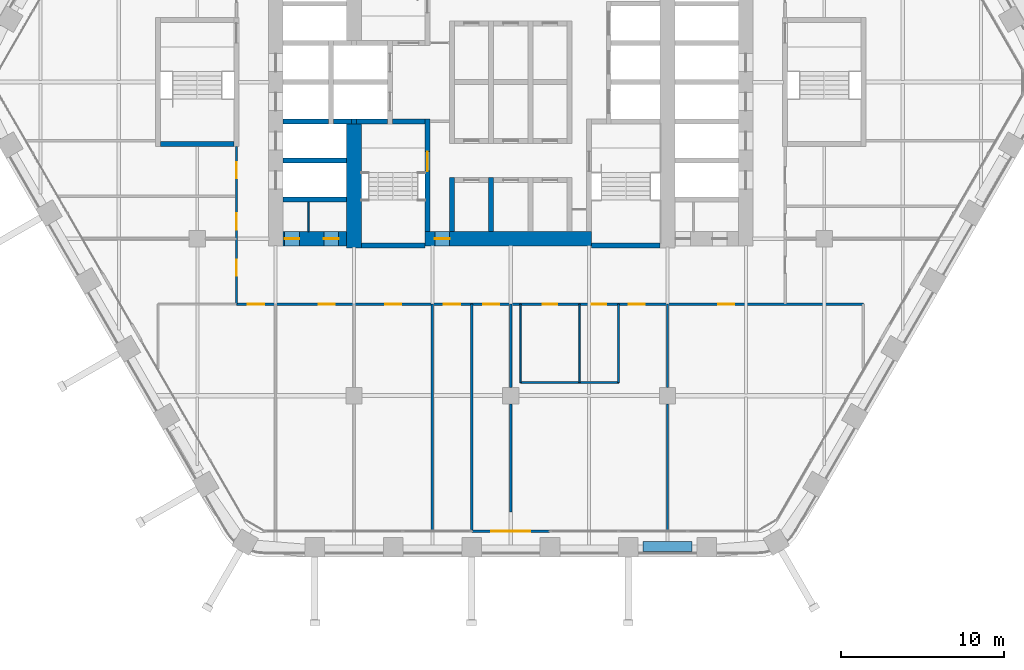
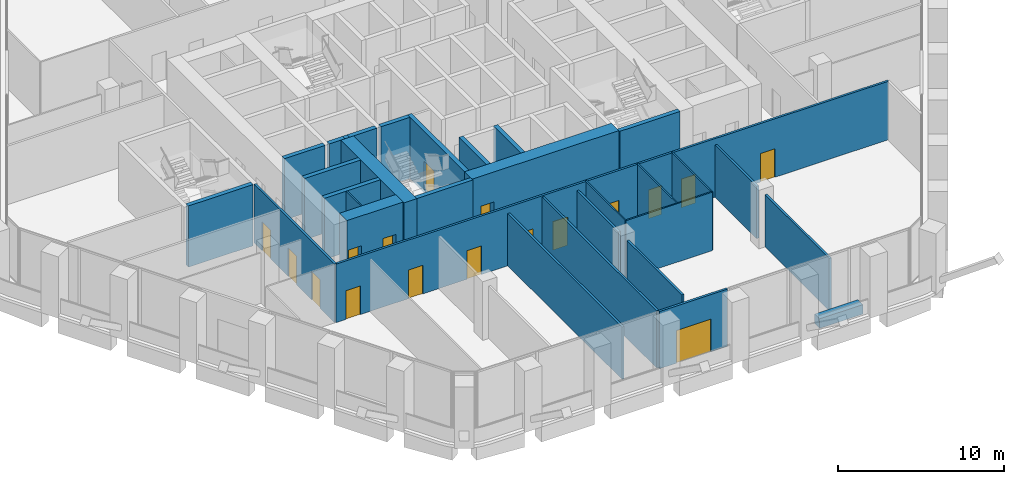
# One storey, part 15 of 26: 31 walls, 17 doors, 17 openings.
"""IFC4 building model written with IfcOpenShell, lengths in metres."""

from ifc_helpers import new_model, si_unit, direction, frame, frame_2d, origin, place, context, subcontext, project, spatial, rectangle, extrude, material, layer, layer_set, type_object, element, fill, save


model = new_model("IFC4")

# Units and contexts
model_context = context("Model", 3, precision=1e-05, world=origin(), true_north=direction((0.0, 1.0)))
body_context = subcontext(model_context, "Body", "Model", "MODEL_VIEW")
ifc_project = project(units=[si_unit("LENGTHUNIT", "METRE"), si_unit("AREAUNIT", "SQUARE_METRE"), si_unit("VOLUMEUNIT", "CUBIC_METRE"), si_unit("PLANEANGLEUNIT", "RADIAN"), si_unit("MASSUNIT", "GRAM", prefix="KILO")], contexts=[model_context])

# Site, building, storey
site_placement = place(None, origin())
site = spatial("IfcSite", under=ifc_project, at=site_placement, CompositionType="ELEMENT")
building_placement = place(site_placement, origin())
building = spatial("IfcBuilding", under=site, at=building_placement, Name="Kolab Exchange Tower", CompositionType="ELEMENT")
storey_placement = place(building_placement, frame((0.0, 0.0, 104.89990234375)))
storey = spatial("IfcBuildingStorey", under=building, at=storey_placement, Name="L20", CompositionType="ELEMENT", Elevation=104.89990234375)

# Wall, openings, doors
ifc_material_1 = material(Name="Concrete C70/85", Category="concrete")
ifc_layer_1 = layer(ifc_material_1, 0.89990234375)
ifc_layer_set_1 = layer_set([ifc_layer_1], Name="Concrete C70/85")
wall_type_1 = type_object("IfcWallType", Name="CORE WALL 900 C70/85", PredefinedType="SHEAR", material=ifc_layer_set_1)
wall_1_placement = place(storey_placement, frame((-13.949951171875, -9.60009765625, -0.199951171875), z_axis=(0.0, 0.0, 1.0), x_axis=(1.0, 0.0, 0.0)))
wall_1 = element("IfcWall", 1, at=wall_1_placement, inside=storey, type_object=wall_type_1, Name="wall/L20/core/002", PredefinedType="SHEAR", context=body_context, shape_type="SweptSolid", body=[
    extrude(rectangle(XDim=3.89990234375, YDim=0.89990234375, at=frame_2d((1.949951171875, 0.0))), origin(), (0.0, 0.0, 1.0), 4.5),
])
opening_1_placement = place(wall_1_placement, frame((0.10009765625, 0.0, 0.199951171875)))
opening_1 = element("IfcOpeningElement", 2, at=opening_1_placement, cuts=wall_1, Name="Opening D6-228", PredefinedType="OPENING", context=body_context, shape_type="SweptSolid", body=[
    extrude(rectangle(XDim=0.89990234375, YDim=2.10009765625, at=frame_2d((0.449951171875, 1.050048828125))), frame((0.0, 0.4599609375, 0.0), z_axis=(0.0, -1.0, 0.0), x_axis=(1.0, 0.0, 0.0)), (0.0, 0.0, 1.0), 0.919921875),
])
opening_2_placement = place(wall_1_placement, frame((2.5, 0.0, 0.199951171875)))
opening_2 = element("IfcOpeningElement", 3, at=opening_2_placement, cuts=wall_1, Name="Opening D6-229", PredefinedType="OPENING", context=body_context, shape_type="SweptSolid", body=[
    extrude(rectangle(XDim=0.89990234375, YDim=2.10009765625, at=frame_2d((0.449951171875, 1.050048828125))), frame((0.0, 0.4599609375, 0.0), z_axis=(0.0, -1.0, 0.0), x_axis=(1.0, 0.0, 0.0)), (0.0, 0.0, 1.0), 0.919921875),
])
ifc_material_2 = material(Name="Steel S235", Category="steel")
door_type_1 = type_object("IfcDoorType", Name="CORE DOOR 900 EI 120", OperationType="SINGLE_SWING_LEFT", PredefinedType="DOOR", material=ifc_material_2)
door_1_placement = place(opening_1_placement, origin())
door_1 = element("IfcDoor", 4, at=door_1_placement, inside=storey, type_object=door_type_1, Name="Service room door", OperationType="SINGLE_SWING_RIGHT", OverallHeight=2.10009765625, OverallWidth=0.89990234375, PredefinedType="DOOR", context=body_context, shape_type="SweptSolid", body=[
    extrude(rectangle(XDim=0.89990234375, YDim=2.10009765625, at=frame_2d((0.449951171875, 1.050048828125))), frame((0.0, 0.02490234375, 0.0), z_axis=(0.0, -1.0, 0.0), x_axis=(1.0, 0.0, 0.0)), (0.0, 0.0, 1.0), 0.050048828125),
])
fill(opening_1, door_1)
door_2_placement = place(opening_2_placement, origin())
door_2 = element("IfcDoor", 5, at=door_2_placement, inside=storey, type_object=door_type_1, Name="Service room door", OperationType="SINGLE_SWING_LEFT", OverallHeight=2.10009765625, OverallWidth=0.89990234375, PredefinedType="DOOR", context=body_context, shape_type="SweptSolid", body=[
    extrude(rectangle(XDim=0.89990234375, YDim=2.10009765625, at=frame_2d((0.449951171875, 1.050048828125))), frame((0.0, 0.02490234375, 0.0), z_axis=(0.0, -1.0, 0.0), x_axis=(1.0, 0.0, 0.0)), (0.0, 0.0, 1.0), 0.050048828125),
])
fill(opening_2, door_2)

# Wall, opening, door
wall_2_placement = place(storey_placement, frame((-5.25, -9.60009765625, -0.199951171875), z_axis=(0.0, 0.0, 1.0), x_axis=(1.0, 0.0, 0.0)))
wall_2 = element("IfcWall", 6, at=wall_2_placement, inside=storey, type_object=wall_type_1, Name="wall/L20/core/003", PredefinedType="SHEAR", context=body_context, shape_type="SweptSolid", body=[
    extrude(rectangle(XDim=10.199951171875, YDim=0.89990234375, at=frame_2d((5.10009765625, 0.0))), origin(), (0.0, 0.0, 1.0), 4.5),
])
opening_3_placement = place(wall_2_placement, frame((0.60009765625, 0.0, 0.199951171875)))
opening_3 = element("IfcOpeningElement", 7, at=opening_3_placement, cuts=wall_2, Name="Opening D6-203", PredefinedType="OPENING", context=body_context, shape_type="SweptSolid", body=[
    extrude(rectangle(XDim=0.89990234375, YDim=2.10009765625, at=frame_2d((0.449951171875, 1.050048828125))), frame((0.0, 0.4599609375, 0.0), z_axis=(0.0, -1.0, 0.0), x_axis=(1.0, 0.0, 0.0)), (0.0, 0.0, 1.0), 0.919921875),
])
door_3_placement = place(opening_3_placement, origin())
door_3 = element("IfcDoor", 8, at=door_3_placement, inside=storey, type_object=door_type_1, Name="Core lobby door", OperationType="SINGLE_SWING_RIGHT", OverallHeight=2.10009765625, OverallWidth=0.89990234375, PredefinedType="DOOR", context=body_context, shape_type="SweptSolid", body=[
    extrude(rectangle(XDim=0.89990234375, YDim=2.10009765625, at=frame_2d((0.449951171875, 1.050048828125))), frame((0.0, 0.02490234375, 0.0), z_axis=(0.0, -1.0, 0.0), x_axis=(1.0, 0.0, 0.0)), (0.0, 0.0, 1.0), 0.050048828125),
])
fill(opening_3, door_3)

# Wall
wall_3_placement = place(storey_placement, frame((-9.60009765625, -10.14990234375, -0.199951171875), z_axis=(0.0, 0.0, 1.0), x_axis=(0.0, 1.0, 0.0)))
element("IfcWall", 9, at=wall_3_placement, inside=storey, type_object=wall_type_1, Name="wall/L20/core/059", PredefinedType="SHEAR", context=body_context, shape_type="SweptSolid", body=[
    extrude(rectangle(XDim=7.599853515625, YDim=0.89990234375, at=frame_2d((3.7998046875, 0.0))), origin(), (0.0, 0.0, 1.0), 4.5),
])

# Wall, opening, door
ifc_material_3 = material(Name="Aluminium EN AW-6063 T6", Category="aluminium")
ifc_layer_2 = layer(ifc_material_3, 0.159912109375)
ifc_layer_set_2 = layer_set([ifc_layer_2], Name="Aluminium EN AW-6063 T6")
wall_type_2 = type_object("IfcWallType", Name="DOOR SURROUND WALL 160 ALUMINIUM FRAMED", PredefinedType="PARTITIONING", material=ifc_layer_set_2)
wall_4_placement = place(storey_placement, frame((2.3701171875, -27.5185546875, 0.0), z_axis=(0.0, 0.0, 1.0), x_axis=(-1.0, 0.0, 0.0)))
wall_4 = element("IfcWall", 10, at=wall_4_placement, inside=storey, type_object=wall_type_2, Name="Door surround wall", PredefinedType="PARTITIONING", context=body_context, shape_type="SweptSolid", body=[
    extrude(rectangle(XDim=4.740234375, YDim=0.159912109375, at=frame_2d((2.3701171875, 0.0))), origin(), (0.0, 0.0, 1.0), 4.2001953125),
])
opening_4_placement = place(wall_4_placement, frame((1.169921875, 0.0, 0.0)))
opening_4 = element("IfcOpeningElement", 11, at=opening_4_placement, cuts=wall_4, Name="Opening GD1-046", PredefinedType="OPENING", context=body_context, shape_type="SweptSolid", body=[
    extrude(rectangle(XDim=2.39990234375, YDim=2.39990234375, at=frame_2d((1.199951171875, 1.199951171875))), frame((0.0, 0.08984375, 0.0), z_axis=(0.0, -1.0, 0.0), x_axis=(1.0, 0.0, 0.0)), (0.0, 0.0, 1.0), 0.179931640625),
])
door_type_2 = type_object("IfcDoorType", Name="LOGGIA SLIDING GLASS DOOR 2400 X 2400", OperationType="DOUBLE_DOOR_SINGLE_SWING", PredefinedType="DOOR", material=ifc_material_3)
door_4_placement = place(opening_4_placement, origin())
door_4 = element("IfcDoor", 12, at=door_4_placement, inside=storey, type_object=door_type_2, Name="Loggia door", OperationType="DOUBLE_DOOR_SLIDING", OverallHeight=2.39990234375, OverallWidth=2.39990234375, PredefinedType="DOOR", context=body_context, shape_type="SweptSolid", body=[
    extrude(rectangle(XDim=2.39990234375, YDim=2.39990234375, at=frame_2d((1.199951171875, 1.199951171875))), frame((0.0, 0.02490234375, 0.0), z_axis=(0.0, -1.0, 0.0), x_axis=(1.0, 0.0, 0.0)), (0.0, 0.0, 1.0), 0.050048828125),
])
fill(opening_4, door_4)

# Walls
ifc_material_4 = material(Name="Concrete C50/60", Category="concrete")
ifc_layer_3 = layer(ifc_material_4, 0.300048828125)
ifc_layer_set_3 = layer_set([ifc_layer_3], Name="Concrete C50/60")
wall_type_3 = type_object("IfcWallType", Name="LIFT SHAFT WALL 300 C50/60", PredefinedType="STANDARD", material=ifc_layer_set_3)
for number, where, z_axis, x_axis, name in (
    (13, (-13.949951171875, -7.199951171875, -0.199951171875), (0.0, 0.0, 1.0), (1.0, 0.0, 0.0), "wall/L20/core/005"),
    (14, (-13.949951171875, -4.800048828125, -0.199951171875), (0.0, 0.0, 1.0), (1.0, 0.0, 0.0), "wall/L20/core/010"),
):
    element("IfcWall", number, at=place(storey_placement, frame(where, z_axis=z_axis, x_axis=x_axis)), inside=storey, type_object=wall_type_3, Name=name, PredefinedType="STANDARD", context=body_context, shape_type="SweptSolid", body=[
        extrude(rectangle(XDim=3.89990234375, YDim=0.300048828125, at=frame_2d((1.949951171875, 0.0))), origin(), (0.0, 0.0, 1.0), 4.5),
    ])
wall_5_placement = place(storey_placement, frame((-13.949951171875, -2.39990234375, -0.199951171875), z_axis=(0.0, 0.0, 1.0), x_axis=(1.0, 0.0, 0.0)))
element("IfcWall", 15, at=wall_5_placement, inside=storey, type_object=wall_type_3, Name="wall/L20/core/017", PredefinedType="STANDARD", context=body_context, shape_type="SweptSolid", body=[
    extrude(rectangle(XDim=2.800048828125, YDim=0.300048828125, at=frame_2d((1.39990234375, 0.0))), origin(), (0.0, 0.0, 1.0), 4.5),
])
wall_6_placement = place(storey_placement, frame((-10.85009765625, -2.39990234375, -0.199951171875), z_axis=(0.0, 0.0, 1.0), x_axis=(1.0, 0.0, 0.0)))
element("IfcWall", 16, at=wall_6_placement, inside=storey, type_object=wall_type_3, Name="wall/L20/core/018", PredefinedType="STANDARD", context=body_context, shape_type="SweptSolid", body=[
    extrude(rectangle(XDim=1.10009765625, YDim=0.300048828125, at=frame_2d((0.550048828125, 0.0))), origin(), (0.0, 0.0, 1.0), 4.5),
])
for number, where, z_axis, x_axis, name in (
    (17, (-3.60009765625, -9.14990234375, -0.199951171875), (0.0, 0.0, 1.0), (0.0, 1.0, 0.0), "wall/L20/core/066"),
    (18, (-1.199951171875, -9.14990234375, -0.199951171875), (0.0, 0.0, 1.0), (0.0, 1.0, 0.0), "wall/L20/core/069"),
):
    element("IfcWall", number, at=place(storey_placement, frame(where, z_axis=z_axis, x_axis=x_axis)), inside=storey, type_object=wall_type_3, Name=name, PredefinedType="STANDARD", context=body_context, shape_type="SweptSolid", body=[
        extrude(rectangle(XDim=3.2998046875, YDim=0.300048828125, at=frame_2d((1.64990234375, 0.0))), origin(), (0.0, 0.0, 1.0), 4.5),
    ])
ifc_material_5 = material(Name="Gypsum board", Category="gypsum")
ifc_layer_4 = layer(ifc_material_5, 0.10009765625)
ifc_layer_set_4 = layer_set([ifc_layer_4], Name="Gypsum board")
wall_type_4 = type_object("IfcWallType", Name="PARTITION 100", PredefinedType="PARTITIONING", material=ifc_layer_set_4)
for number, where, z_axis, x_axis, name in (
    (19, (6.60009765625, -18.39990234375, 0.0), (0.0, 0.0, 1.0), (0.0, 1.0, 0.0), "Partition 011"),
    (20, (4.199951171875, -18.39990234375, 0.0), (0.0, 0.0, 1.0), (0.0, 1.0, 0.0), "Partition 014"),
    (21, (0.60009765625, -18.39990234375, 0.0), (0.0, 0.0, 1.0), (0.0, 1.0, 0.0), "Partition 015"),
):
    element("IfcWall", number, at=place(storey_placement, frame(where, z_axis=z_axis, x_axis=x_axis)), inside=storey, type_object=wall_type_4, Name=name, PredefinedType="PARTITIONING", context=body_context, shape_type="SweptSolid", body=[
        extrude(rectangle(XDim=4.7998046875, YDim=0.10009765625, at=frame_2d((2.39990234375, 0.0))), origin(), (0.0, 0.0, 1.0), 4.300048828125),
    ])
wall_7_placement = place(storey_placement, frame((-12.39990234375, -9.14990234375, 0.0), z_axis=(0.0, 0.0, 1.0), x_axis=(0.0, 1.0, 0.0)))
element("IfcWall", 22, at=wall_7_placement, inside=storey, type_object=wall_type_4, Name="Partition 029", PredefinedType="PARTITIONING", context=body_context, shape_type="SweptSolid", body=[
    extrude(rectangle(XDim=1.7998046875, YDim=0.10009765625, at=frame_2d((0.89990234375, 0.0))), origin(), (0.0, 0.0, 1.0), 4.300048828125),
])
wall_8_placement = place(storey_placement, frame((0.60009765625, -18.39990234375, 0.0), z_axis=(0.0, 0.0, 1.0), x_axis=(1.0, 0.0, 0.0)))
element("IfcWall", 23, at=wall_8_placement, inside=storey, type_object=wall_type_4, Name="Partition 035", PredefinedType="PARTITIONING", context=body_context, shape_type="SweptSolid", body=[
    extrude(rectangle(XDim=6.0, YDim=0.10009765625, at=frame_2d((3.0, 0.0))), origin(), (0.0, 0.0, 1.0), 4.300048828125),
])
ifc_layer_5 = layer(ifc_material_5, 0.14990234375)
ifc_layer_set_5 = layer_set([ifc_layer_5], Name="Gypsum board")
wall_type_5 = type_object("IfcWallType", Name="PARTITION 150 FIRE-RATED", PredefinedType="PARTITIONING", material=ifc_layer_set_5)
wall_9_placement = place(storey_placement, frame((9.60009765625, -27.428466796875, 0.0), z_axis=(0.0, 0.0, 1.0), x_axis=(0.0, 1.0, 0.0)))
element("IfcWall", 24, at=wall_9_placement, inside=storey, type_object=wall_type_5, Name="Partition 007", PredefinedType="PARTITIONING", context=body_context, shape_type="SweptSolid", body=[
    extrude(rectangle(XDim=7.728515625, YDim=0.14990234375, at=frame_2d((3.8642578125, 0.0))), origin(), (0.0, 0.0, 1.0), 3.843017578125),
])
wall_10_placement = place(storey_placement, frame((9.60009765625, -18.699951171875, 0.0), z_axis=(0.0, 0.0, 1.0), x_axis=(0.0, 1.0, 0.0)))
element("IfcWall", 25, at=wall_10_placement, inside=storey, type_object=wall_type_5, Name="Partition 008", PredefinedType="PARTITIONING", context=body_context, shape_type="SweptSolid", body=[
    extrude(rectangle(XDim=5.099853515625, YDim=0.14990234375, at=frame_2d((2.5498046875, 0.0))), origin(), (0.0, 0.0, 1.0), 3.843017578125),
])
wall_11_placement = place(storey_placement, frame((0.0, -26.318603515625, 0.0), z_axis=(0.0, 0.0, 1.0), x_axis=(0.0, 1.0, 0.0)))
element("IfcWall", 26, at=wall_11_placement, inside=storey, type_object=wall_type_5, Name="Partition 018", PredefinedType="PARTITIONING", context=body_context, shape_type="SweptSolid", body=[
    extrude(rectangle(XDim=6.61865234375, YDim=0.14990234375, at=frame_2d((3.309326171875, 0.0))), origin(), (0.0, 0.0, 1.0), 3.843017578125),
])
wall_12_placement = place(storey_placement, frame((0.0, -18.699951171875, 0.0), z_axis=(0.0, 0.0, 1.0), x_axis=(0.0, 1.0, 0.0)))
element("IfcWall", 27, at=wall_12_placement, inside=storey, type_object=wall_type_5, Name="Partition 019", PredefinedType="PARTITIONING", context=body_context, shape_type="SweptSolid", body=[
    extrude(rectangle(XDim=5.099853515625, YDim=0.14990234375, at=frame_2d((2.5498046875, 0.0))), origin(), (0.0, 0.0, 1.0), 3.843017578125),
])
wall_13_placement = place(storey_placement, frame((-2.39990234375, -27.4384765625, 0.0), z_axis=(0.0, 0.0, 1.0), x_axis=(0.0, 1.0, 0.0)))
element("IfcWall", 28, at=wall_13_placement, inside=storey, type_object=wall_type_5, Name="Partition 020", PredefinedType="PARTITIONING", context=body_context, shape_type="SweptSolid", body=[
    extrude(rectangle(XDim=13.83837890625, YDim=0.14990234375, at=frame_2d((6.919189453125, 0.0))), origin(), (0.0, 0.0, 1.0), 4.2001953125),
])
wall_14_placement = place(storey_placement, frame((-4.800048828125, -27.428466796875, 0.0), z_axis=(0.0, 0.0, 1.0), x_axis=(0.0, 1.0, 0.0)))
element("IfcWall", 29, at=wall_14_placement, inside=storey, type_object=wall_type_5, Name="Partition 022", PredefinedType="PARTITIONING", context=body_context, shape_type="SweptSolid", body=[
    extrude(rectangle(XDim=13.828369140625, YDim=0.14990234375, at=frame_2d((6.9140625, 0.0))), origin(), (0.0, 0.0, 1.0), 3.843017578125),
])

# Wall, openings, doors
wall_15_placement = place(storey_placement, frame((-16.800048828125, -13.60009765625, 0.0), z_axis=(0.0, 0.0, 1.0), x_axis=(0.0, 1.0, 0.0)))
wall_15 = element("IfcWall", 30, at=wall_15_placement, inside=storey, type_object=wall_type_5, Name="Partition 031", PredefinedType="PARTITIONING", context=body_context, shape_type="SweptSolid", body=[
    extrude(rectangle(XDim=9.650146484375, YDim=0.14990234375, at=frame_2d((4.8251953125, 0.0))), origin(), (0.0, 0.0, 1.0), 4.300048828125),
])
opening_5_placement = place(wall_15_placement, frame((1.72509765625, 0.0, 0.0)))
opening_5 = element("IfcOpeningElement", 31, at=opening_5_placement, cuts=wall_15, Name="Opening D1-276", PredefinedType="OPENING", context=body_context, shape_type="SweptSolid", body=[
    extrude(rectangle(XDim=1.0, YDim=2.10009765625, at=frame_2d((0.5, 1.050048828125))), frame((0.0, 0.0849609375, 0.0), z_axis=(0.0, -1.0, 0.0), x_axis=(1.0, 0.0, 0.0)), (0.0, 0.0, 1.0), 0.169921875),
])
opening_6_placement = place(wall_15_placement, frame((4.554931640625, 0.0, 0.0)))
opening_6 = element("IfcOpeningElement", 32, at=opening_6_placement, cuts=wall_15, Name="Opening D1-277", PredefinedType="OPENING", context=body_context, shape_type="SweptSolid", body=[
    extrude(rectangle(XDim=1.0, YDim=2.10009765625, at=frame_2d((0.5, 1.050048828125))), frame((0.0, 0.0849609375, 0.0), z_axis=(0.0, -1.0, 0.0), x_axis=(1.0, 0.0, 0.0)), (0.0, 0.0, 1.0), 0.169921875),
])
opening_7_placement = place(wall_15_placement, frame((7.699951171875, 0.0, 0.0)))
opening_7 = element("IfcOpeningElement", 33, at=opening_7_placement, cuts=wall_15, Name="Opening D1-278", PredefinedType="OPENING", context=body_context, shape_type="SweptSolid", body=[
    extrude(rectangle(XDim=1.0, YDim=2.10009765625, at=frame_2d((0.5, 1.050048828125))), frame((0.0, 0.0849609375, 0.0), z_axis=(0.0, -1.0, 0.0), x_axis=(1.0, 0.0, 0.0)), (0.0, 0.0, 1.0), 0.169921875),
])
door_type_3 = type_object("IfcDoorType", Name="FLUSH DOOR 1000 FD60", OperationType="SINGLE_SWING_LEFT", PredefinedType="DOOR", material=ifc_material_2)
door_5_placement = place(opening_5_placement, origin())
door_5 = element("IfcDoor", 34, at=door_5_placement, inside=storey, type_object=door_type_3, Name="Door L20-070", OperationType="SINGLE_SWING_RIGHT", OverallHeight=2.10009765625, OverallWidth=1.0, PredefinedType="DOOR", context=body_context, shape_type="SweptSolid", body=[
    extrude(rectangle(XDim=1.0, YDim=2.10009765625, at=frame_2d((0.5, 1.050048828125))), frame((0.0, 0.02490234375, 0.0), z_axis=(0.0, -1.0, 0.0), x_axis=(1.0, 0.0, 0.0)), (0.0, 0.0, 1.0), 0.050048828125),
])
fill(opening_5, door_5)
door_6_placement = place(opening_6_placement, origin())
door_6 = element("IfcDoor", 35, at=door_6_placement, inside=storey, type_object=door_type_3, Name="Door L20-071", OperationType="SINGLE_SWING_LEFT", OverallHeight=2.10009765625, OverallWidth=1.0, PredefinedType="DOOR", context=body_context, shape_type="SweptSolid", body=[
    extrude(rectangle(XDim=1.0, YDim=2.10009765625, at=frame_2d((0.5, 1.050048828125))), frame((0.0, 0.02490234375, 0.0), z_axis=(0.0, -1.0, 0.0), x_axis=(1.0, 0.0, 0.0)), (0.0, 0.0, 1.0), 0.050048828125),
])
fill(opening_6, door_6)
door_7_placement = place(opening_7_placement, origin())
door_7 = element("IfcDoor", 36, at=door_7_placement, inside=storey, type_object=door_type_3, Name="Door L20-072", OperationType="SINGLE_SWING_LEFT", OverallHeight=2.10009765625, OverallWidth=1.0, PredefinedType="DOOR", context=body_context, shape_type="SweptSolid", body=[
    extrude(rectangle(XDim=1.0, YDim=2.10009765625, at=frame_2d((0.5, 1.050048828125))), frame((0.0, 0.02490234375, 0.0), z_axis=(0.0, -1.0, 0.0), x_axis=(1.0, 0.0, 0.0)), (0.0, 0.0, 1.0), 0.050048828125),
])
fill(opening_7, door_7)

wall_16_placement = place(storey_placement, frame((-16.800048828125, -13.60009765625, 0.0), z_axis=(0.0, 0.0, 1.0), x_axis=(1.0, 0.0, 0.0)))
wall_16 = element("IfcWall", 37, at=wall_16_placement, inside=storey, type_object=wall_type_5, Name="Partition 037", PredefinedType="PARTITIONING", context=body_context, shape_type="SweptSolid", body=[
    extrude(rectangle(XDim=38.400146484375, YDim=0.14990234375, at=frame_2d((19.2001953125, 0.0))), origin(), (0.0, 0.0, 1.0), 4.300048828125),
])
opening_8_placement = place(wall_16_placement, frame((0.699951171875, 0.0, 0.0)))
opening_8 = element("IfcOpeningElement", 38, at=opening_8_placement, cuts=wall_16, Name="Opening D1-263", PredefinedType="OPENING", context=body_context, shape_type="SweptSolid", body=[
    extrude(rectangle(XDim=1.0, YDim=2.10009765625, at=frame_2d((0.5, 1.050048828125))), frame((0.0, 0.0849609375, 0.0), z_axis=(0.0, -1.0, 0.0), x_axis=(1.0, 0.0, 0.0)), (0.0, 0.0, 1.0), 0.169921875),
])
opening_9_placement = place(wall_16_placement, frame((5.02490234375, 0.0, 0.0)))
opening_9 = element("IfcOpeningElement", 39, at=opening_9_placement, cuts=wall_16, Name="Opening D1-264", PredefinedType="OPENING", context=body_context, shape_type="SweptSolid", body=[
    extrude(rectangle(XDim=1.0, YDim=2.10009765625, at=frame_2d((0.5, 1.050048828125))), frame((0.0, 0.0849609375, 0.0), z_axis=(0.0, -1.0, 0.0), x_axis=(1.0, 0.0, 0.0)), (0.0, 0.0, 1.0), 0.169921875),
])
opening_10_placement = place(wall_16_placement, frame((9.10009765625, 0.0, 0.0)))
opening_10 = element("IfcOpeningElement", 40, at=opening_10_placement, cuts=wall_16, Name="Opening D1-265", PredefinedType="OPENING", context=body_context, shape_type="SweptSolid", body=[
    extrude(rectangle(XDim=1.0, YDim=2.10009765625, at=frame_2d((0.5, 1.050048828125))), frame((0.0, 0.0849609375, 0.0), z_axis=(0.0, -1.0, 0.0), x_axis=(1.0, 0.0, 0.0)), (0.0, 0.0, 1.0), 0.169921875),
])
opening_11_placement = place(wall_16_placement, frame((12.699951171875, 0.0, 0.0)))
opening_11 = element("IfcOpeningElement", 41, at=opening_11_placement, cuts=wall_16, Name="Opening D1-266", PredefinedType="OPENING", context=body_context, shape_type="SweptSolid", body=[
    extrude(rectangle(XDim=1.0, YDim=2.10009765625, at=frame_2d((0.5, 1.050048828125))), frame((0.0, 0.0849609375, 0.0), z_axis=(0.0, -1.0, 0.0), x_axis=(1.0, 0.0, 0.0)), (0.0, 0.0, 1.0), 0.169921875),
])
opening_12_placement = place(wall_16_placement, frame((15.10009765625, 0.0, 0.0)))
opening_12 = element("IfcOpeningElement", 42, at=opening_12_placement, cuts=wall_16, Name="Opening D1-267", PredefinedType="OPENING", context=body_context, shape_type="SweptSolid", body=[
    extrude(rectangle(XDim=1.0, YDim=2.10009765625, at=frame_2d((0.5, 1.050048828125))), frame((0.0, 0.0849609375, 0.0), z_axis=(0.0, -1.0, 0.0), x_axis=(1.0, 0.0, 0.0)), (0.0, 0.0, 1.0), 0.169921875),
])
opening_13_placement = place(wall_16_placement, frame((24.014892578125, 0.0, 0.0)))
opening_13 = element("IfcOpeningElement", 43, at=opening_13_placement, cuts=wall_16, Name="Opening D1-268", PredefinedType="OPENING", context=body_context, shape_type="SweptSolid", body=[
    extrude(rectangle(XDim=1.0, YDim=2.10009765625, at=frame_2d((0.5, 1.050048828125))), frame((0.0, 0.0849609375, 0.0), z_axis=(0.0, -1.0, 0.0), x_axis=(1.0, 0.0, 0.0)), (0.0, 0.0, 1.0), 0.169921875),
])
opening_14_placement = place(wall_16_placement, frame((29.5, 0.0, 0.0)))
opening_14 = element("IfcOpeningElement", 44, at=opening_14_placement, cuts=wall_16, Name="Opening D1-269", PredefinedType="OPENING", context=body_context, shape_type="SweptSolid", body=[
    extrude(rectangle(XDim=1.0, YDim=2.10009765625, at=frame_2d((0.5, 1.050048828125))), frame((0.0, 0.0849609375, 0.0), z_axis=(0.0, -1.0, 0.0), x_axis=(1.0, 0.0, 0.0)), (0.0, 0.0, 1.0), 0.169921875),
])
opening_15_placement = place(wall_16_placement, frame((18.75, 0.0, 0.0)))
opening_15 = element("IfcOpeningElement", 45, at=opening_15_placement, cuts=wall_16, Name="Opening D3-025", PredefinedType="OPENING", context=body_context, shape_type="SweptSolid", body=[
    extrude(rectangle(XDim=0.89990234375, YDim=2.10009765625, at=frame_2d((0.449951171875, 1.050048828125))), frame((0.0, 0.0849609375, 0.0), z_axis=(0.0, -1.0, 0.0), x_axis=(1.0, 0.0, 0.0)), (0.0, 0.0, 1.0), 0.169921875),
])
opening_16_placement = place(wall_16_placement, frame((21.75, 0.0, 0.0)))
opening_16 = element("IfcOpeningElement", 46, at=opening_16_placement, cuts=wall_16, Name="Opening D3-026", PredefinedType="OPENING", context=body_context, shape_type="SweptSolid", body=[
    extrude(rectangle(XDim=0.89990234375, YDim=2.10009765625, at=frame_2d((0.449951171875, 1.050048828125))), frame((0.0, 0.0849609375, 0.0), z_axis=(0.0, -1.0, 0.0), x_axis=(1.0, 0.0, 0.0)), (0.0, 0.0, 1.0), 0.169921875),
])
door_8_placement = place(opening_8_placement, frame((1.0, 0.0, 0.0), z_axis=(0.0, 0.0, 1.0), x_axis=(-1.0, 0.0, 0.0)))
door_8 = element("IfcDoor", 47, at=door_8_placement, inside=storey, type_object=door_type_3, Name="Door L20-057", OperationType="SINGLE_SWING_RIGHT", OverallHeight=2.10009765625, OverallWidth=1.0, PredefinedType="DOOR", context=body_context, shape_type="SweptSolid", body=[
    extrude(rectangle(XDim=1.0, YDim=2.10009765625, at=frame_2d((0.5, 1.050048828125))), frame((0.0, 0.02490234375, 0.0), z_axis=(0.0, -1.0, 0.0), x_axis=(1.0, 0.0, 0.0)), (0.0, 0.0, 1.0), 0.050048828125),
])
fill(opening_8, door_8)
door_9_placement = place(opening_9_placement, frame((1.0, 0.0, 0.0), z_axis=(0.0, 0.0, 1.0), x_axis=(-1.0, 0.0, 0.0)))
door_9 = element("IfcDoor", 48, at=door_9_placement, inside=storey, type_object=door_type_3, Name="Door L20-058", OperationType="SINGLE_SWING_RIGHT", OverallHeight=2.10009765625, OverallWidth=1.0, PredefinedType="DOOR", context=body_context, shape_type="SweptSolid", body=[
    extrude(rectangle(XDim=1.0, YDim=2.10009765625, at=frame_2d((0.5, 1.050048828125))), frame((0.0, 0.02490234375, 0.0), z_axis=(0.0, -1.0, 0.0), x_axis=(1.0, 0.0, 0.0)), (0.0, 0.0, 1.0), 0.050048828125),
])
fill(opening_9, door_9)
door_10_placement = place(opening_10_placement, frame((1.0, 0.0, 0.0), z_axis=(0.0, 0.0, 1.0), x_axis=(-1.0, 0.0, 0.0)))
door_10 = element("IfcDoor", 49, at=door_10_placement, inside=storey, type_object=door_type_3, Name="Door L20-059", OperationType="SINGLE_SWING_LEFT", OverallHeight=2.10009765625, OverallWidth=1.0, PredefinedType="DOOR", context=body_context, shape_type="SweptSolid", body=[
    extrude(rectangle(XDim=1.0, YDim=2.10009765625, at=frame_2d((0.5, 1.050048828125))), frame((0.0, 0.02490234375, 0.0), z_axis=(0.0, -1.0, 0.0), x_axis=(1.0, 0.0, 0.0)), (0.0, 0.0, 1.0), 0.050048828125),
])
fill(opening_10, door_10)
door_11_placement = place(opening_11_placement, frame((1.0, 0.0, 0.0), z_axis=(0.0, 0.0, 1.0), x_axis=(-1.0, 0.0, 0.0)))
door_11 = element("IfcDoor", 50, at=door_11_placement, inside=storey, type_object=door_type_3, Name="Door L20-060", OperationType="SINGLE_SWING_LEFT", OverallHeight=2.10009765625, OverallWidth=1.0, PredefinedType="DOOR", context=body_context, shape_type="SweptSolid", body=[
    extrude(rectangle(XDim=1.0, YDim=2.10009765625, at=frame_2d((0.5, 1.050048828125))), frame((0.0, 0.02490234375, 0.0), z_axis=(0.0, -1.0, 0.0), x_axis=(1.0, 0.0, 0.0)), (0.0, 0.0, 1.0), 0.050048828125),
])
fill(opening_11, door_11)
door_12_placement = place(opening_12_placement, frame((1.0, 0.0, 0.0), z_axis=(0.0, 0.0, 1.0), x_axis=(-1.0, 0.0, 0.0)))
door_12 = element("IfcDoor", 51, at=door_12_placement, inside=storey, type_object=door_type_3, Name="Door L20-061", OperationType="SINGLE_SWING_LEFT", OverallHeight=2.10009765625, OverallWidth=1.0, PredefinedType="DOOR", context=body_context, shape_type="SweptSolid", body=[
    extrude(rectangle(XDim=1.0, YDim=2.10009765625, at=frame_2d((0.5, 1.050048828125))), frame((0.0, 0.02490234375, 0.0), z_axis=(0.0, -1.0, 0.0), x_axis=(1.0, 0.0, 0.0)), (0.0, 0.0, 1.0), 0.050048828125),
])
fill(opening_12, door_12)
door_13_placement = place(opening_13_placement, frame((1.0, 0.0, 0.0), z_axis=(0.0, 0.0, 1.0), x_axis=(-1.0, 0.0, 0.0)))
door_13 = element("IfcDoor", 52, at=door_13_placement, inside=storey, type_object=door_type_3, Name="Door L20-062", OperationType="SINGLE_SWING_LEFT", OverallHeight=2.10009765625, OverallWidth=1.0, PredefinedType="DOOR", context=body_context, shape_type="SweptSolid", body=[
    extrude(rectangle(XDim=1.0, YDim=2.10009765625, at=frame_2d((0.5, 1.050048828125))), frame((0.0, 0.02490234375, 0.0), z_axis=(0.0, -1.0, 0.0), x_axis=(1.0, 0.0, 0.0)), (0.0, 0.0, 1.0), 0.050048828125),
])
fill(opening_13, door_13)
door_14_placement = place(opening_14_placement, frame((1.0, 0.0, 0.0), z_axis=(0.0, 0.0, 1.0), x_axis=(-1.0, 0.0, 0.0)))
door_14 = element("IfcDoor", 53, at=door_14_placement, inside=storey, type_object=door_type_3, Name="Door L20-063", OperationType="SINGLE_SWING_LEFT", OverallHeight=2.10009765625, OverallWidth=1.0, PredefinedType="DOOR", context=body_context, shape_type="SweptSolid", body=[
    extrude(rectangle(XDim=1.0, YDim=2.10009765625, at=frame_2d((0.5, 1.050048828125))), frame((0.0, 0.02490234375, 0.0), z_axis=(0.0, -1.0, 0.0), x_axis=(1.0, 0.0, 0.0)), (0.0, 0.0, 1.0), 0.050048828125),
])
fill(opening_14, door_14)
door_type_4 = type_object("IfcDoorType", Name="FLUSH DOOR 900 FD60", OperationType="SINGLE_SWING_LEFT", PredefinedType="DOOR", material=ifc_material_2)
door_15_placement = place(opening_15_placement, frame((0.89990234375, 0.0, 0.0), z_axis=(0.0, 0.0, 1.0), x_axis=(-1.0, 0.0, 0.0)))
door_15 = element("IfcDoor", 54, at=door_15_placement, inside=storey, type_object=door_type_4, Name="Door L20-076", OperationType="SINGLE_SWING_LEFT", OverallHeight=2.10009765625, OverallWidth=0.89990234375, PredefinedType="DOOR", context=body_context, shape_type="SweptSolid", body=[
    extrude(rectangle(XDim=0.89990234375, YDim=2.10009765625, at=frame_2d((0.449951171875, 1.050048828125))), frame((0.0, 0.02490234375, 0.0), z_axis=(0.0, -1.0, 0.0), x_axis=(1.0, 0.0, 0.0)), (0.0, 0.0, 1.0), 0.050048828125),
])
fill(opening_15, door_15)
door_16_placement = place(opening_16_placement, frame((0.89990234375, 0.0, 0.0), z_axis=(0.0, 0.0, 1.0), x_axis=(-1.0, 0.0, 0.0)))
door_16 = element("IfcDoor", 55, at=door_16_placement, inside=storey, type_object=door_type_4, Name="Door L20-077", OperationType="SINGLE_SWING_LEFT", OverallHeight=2.10009765625, OverallWidth=0.89990234375, PredefinedType="DOOR", context=body_context, shape_type="SweptSolid", body=[
    extrude(rectangle(XDim=0.89990234375, YDim=2.10009765625, at=frame_2d((0.449951171875, 1.050048828125))), frame((0.0, 0.02490234375, 0.0), z_axis=(0.0, -1.0, 0.0), x_axis=(1.0, 0.0, 0.0)), (0.0, 0.0, 1.0), 0.050048828125),
])
fill(opening_16, door_16)

# Walls
ifc_material_6 = material(Name="Granite facing", Category="masonry")
ifc_layer_6 = layer(ifc_material_6, 0.0400390625)
ifc_material_7 = material(Name="Concrete C40/50 precast", Category="concrete")
ifc_layer_7 = layer(ifc_material_7, 0.56005859375)
ifc_layer_set_6 = layer_set([ifc_layer_6, ifc_layer_7], Name="Concrete C40/50 precast")
wall_type_6 = type_object("IfcWallType", Name="PLANTER BOX 600 X 700 SOIL DEPTH 550", PredefinedType="USERDEFINED", material=ifc_layer_set_6)
wall_17_placement = place(storey_placement, frame((11.10009765625, -28.448486328125, 0.0), z_axis=(0.0, 0.0, 1.0), x_axis=(-1.0, 0.0, 0.0)))
element("IfcWall", 56, at=wall_17_placement, inside=storey, type_object=wall_type_6, Name="Planter", ObjectType="PLANTER", PredefinedType="USERDEFINED", context=body_context, shape_type="SweptSolid", body=[
    extrude(rectangle(XDim=3.0, YDim=0.60009765625, at=frame_2d((1.5, 0.0))), origin(), (0.0, 0.0, 1.0), 0.7001953125),
])
ifc_layer_8 = layer(ifc_material_4, 0.300048828125)
ifc_layer_set_7 = layer_set([ifc_layer_8], Name="Concrete C50/60")
wall_type_7 = type_object("IfcWallType", Name="STAIR ENCLOSURE WALL 300 C50/60", PredefinedType="STANDARD", material=ifc_layer_set_7)
wall_18_placement = place(storey_placement, frame((-9.14990234375, -10.0, -0.199951171875), z_axis=(0.0, 0.0, 1.0), x_axis=(1.0, 0.0, 0.0)))
element("IfcWall", 57, at=wall_18_placement, inside=storey, type_object=wall_type_7, Name="wall/L20/core/000", PredefinedType="STANDARD", context=body_context, shape_type="SweptSolid", body=[
    extrude(rectangle(XDim=3.89990234375, YDim=0.300048828125, at=frame_2d((1.949951171875, 0.0))), origin(), (0.0, 0.0, 1.0), 4.5),
])
wall_19_placement = place(storey_placement, frame((4.949951171875, -10.0, -0.199951171875), z_axis=(0.0, 0.0, 1.0), x_axis=(1.0, 0.0, 0.0)))
element("IfcWall", 58, at=wall_19_placement, inside=storey, type_object=wall_type_7, Name="wall/L20/core/001", PredefinedType="STANDARD", context=body_context, shape_type="SweptSolid", body=[
    extrude(rectangle(XDim=4.199951171875, YDim=0.300048828125, at=frame_2d((2.10009765625, 0.0))), origin(), (0.0, 0.0, 1.0), 4.5),
])
wall_20_placement = place(storey_placement, frame((-21.449951171875, -3.800048828125, -0.199951171875), z_axis=(0.0, 0.0, 1.0), x_axis=(1.0, 0.0, 0.0)))
element("IfcWall", 59, at=wall_20_placement, inside=storey, type_object=wall_type_7, Name="wall/L20/core/012", PredefinedType="STANDARD", context=body_context, shape_type="SweptSolid", body=[
    extrude(rectangle(XDim=4.5, YDim=0.300048828125, at=frame_2d((2.25, 0.0))), origin(), (0.0, 0.0, 1.0), 4.5),
])
wall_21_placement = place(storey_placement, frame((-9.449951171875, -2.39990234375, -0.199951171875), z_axis=(0.0, 0.0, 1.0), x_axis=(1.0, 0.0, 0.0)))
element("IfcWall", 60, at=wall_21_placement, inside=storey, type_object=wall_type_7, Name="wall/L20/core/019", PredefinedType="STANDARD", context=body_context, shape_type="SweptSolid", body=[
    extrude(rectangle(XDim=1.89990234375, YDim=0.300048828125, at=frame_2d((0.949951171875, 0.0))), origin(), (0.0, 0.0, 1.0), 4.5),
])
wall_22_placement = place(storey_placement, frame((-7.25, -2.39990234375, -0.199951171875), z_axis=(0.0, 0.0, 1.0), x_axis=(1.0, 0.0, 0.0)))
element("IfcWall", 61, at=wall_22_placement, inside=storey, type_object=wall_type_7, Name="wall/L20/core/020", PredefinedType="STANDARD", context=body_context, shape_type="SweptSolid", body=[
    extrude(rectangle(XDim=2.0, YDim=0.300048828125, at=frame_2d((1.0, 0.0))), origin(), (0.0, 0.0, 1.0), 4.5),
])
wall_23_placement = place(storey_placement, frame((-9.60009765625, -2.550048828125, -0.199951171875), z_axis=(0.0, 0.0, 1.0), x_axis=(0.0, 1.0, 0.0)))
element("IfcWall", 62, at=wall_23_placement, inside=storey, type_object=wall_type_7, Name="wall/L20/core/060", PredefinedType="STANDARD", context=body_context, shape_type="SweptSolid", body=[
    extrude(rectangle(XDim=0.300048828125, YDim=0.300048828125, at=frame_2d((0.14990234375, 0.0))), origin(), (0.0, 0.0, 1.0), 4.5),
])

# Wall, opening, door
wall_24_placement = place(storey_placement, frame((-5.10009765625, -9.14990234375, -0.199951171875), z_axis=(0.0, 0.0, 1.0), x_axis=(0.0, 1.0, 0.0)))
wall_24 = element("IfcWall", 63, at=wall_24_placement, inside=storey, type_object=wall_type_7, Name="wall/L20/core/064", PredefinedType="STANDARD", context=body_context, shape_type="SweptSolid", body=[
    extrude(rectangle(XDim=6.89990234375, YDim=0.300048828125, at=frame_2d((3.449951171875, 0.0))), origin(), (0.0, 0.0, 1.0), 4.5),
])
opening_17_placement = place(wall_24_placement, frame((3.699951171875, 0.0, 0.199951171875)))
opening_17 = element("IfcOpeningElement", 64, at=opening_17_placement, cuts=wall_24, Name="Opening D4-046", PredefinedType="OPENING", context=body_context, shape_type="SweptSolid", body=[
    extrude(rectangle(XDim=1.199951171875, YDim=2.10009765625, at=frame_2d((0.60009765625, 1.050048828125))), frame((0.0, 0.16015625, 0.0), z_axis=(0.0, -1.0, 0.0), x_axis=(1.0, 0.0, 0.0)), (0.0, 0.0, 1.0), 0.320068359375),
])
door_type_5 = type_object("IfcDoorType", Name="STAIR DOOR 1200 EI 120", OperationType="SINGLE_SWING_LEFT", PredefinedType="DOOR", material=ifc_material_2)
door_17_placement = place(opening_17_placement, origin())
door_17 = element("IfcDoor", 65, at=door_17_placement, inside=storey, type_object=door_type_5, Name="Stair 3 door", OperationType="SINGLE_SWING_RIGHT", OverallHeight=2.10009765625, OverallWidth=1.199951171875, PredefinedType="DOOR", context=body_context, shape_type="SweptSolid", body=[
    extrude(rectangle(XDim=1.199951171875, YDim=2.10009765625, at=frame_2d((0.60009765625, 1.050048828125))), frame((0.0, 0.02490234375, 0.0), z_axis=(0.0, -1.0, 0.0), x_axis=(1.0, 0.0, 0.0)), (0.0, 0.0, 1.0), 0.050048828125),
])
fill(opening_17, door_17)

save(model, "model.ifc")
